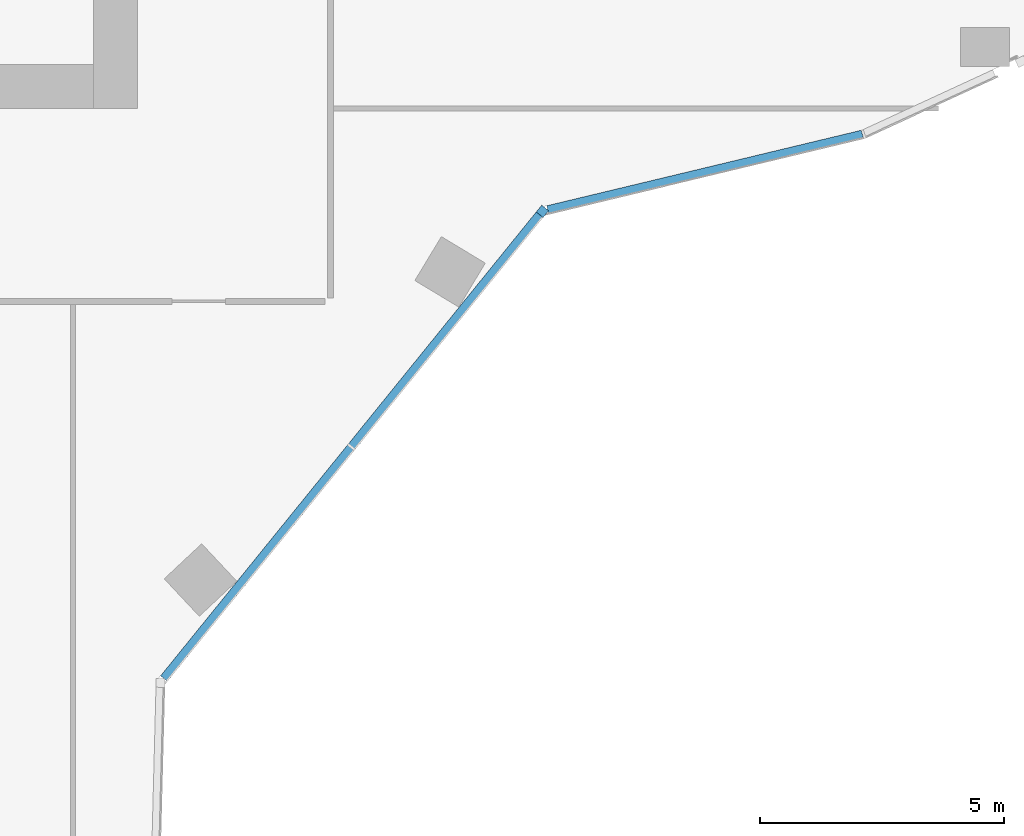
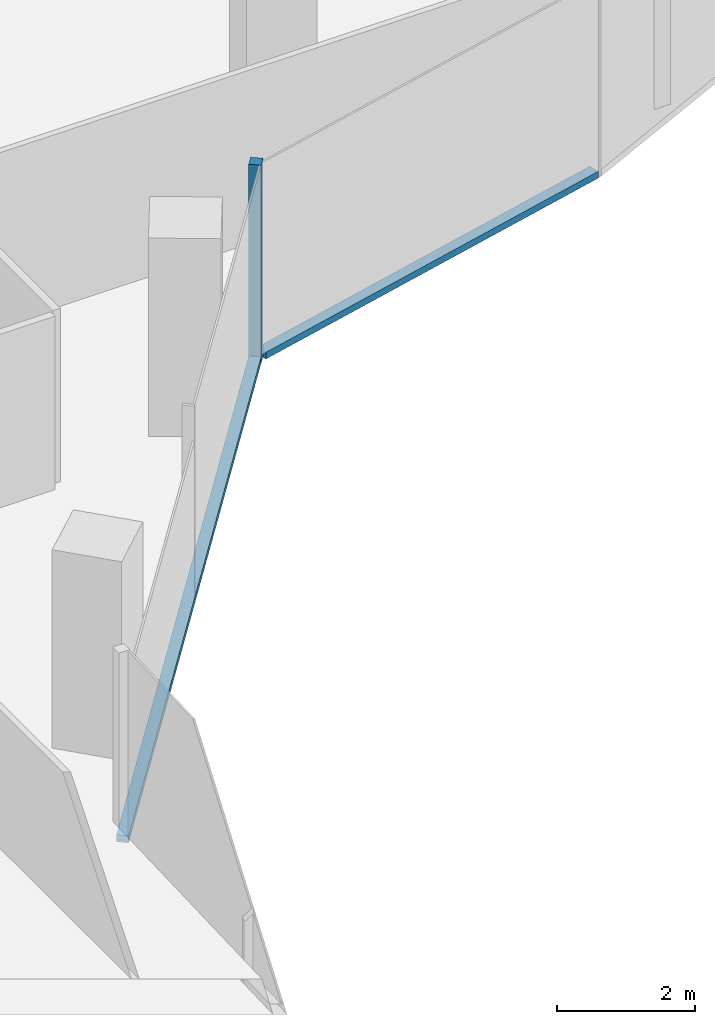
# One storey, part 6 of 23: 3 members, 2 elements without a shape of their own.
"""IFC4 building model written with IfcOpenShell, lengths in metres."""

from ifc_helpers import new_model, si_unit, direction, frame, origin, origin_2d, place, context, subcontext, project, spatial, rectangle, extrude, material, material_profile, profile_set, type_object, element, aggregate, save


model = new_model("IFC4")

# Units and contexts
model_context = context("Model", 3, precision=1e-05, world=origin(), true_north=direction((0.0, 1.0)))
body_context = subcontext(model_context, "Body", "Model", "MODEL_VIEW")
ifc_project = project(units=[si_unit("LENGTHUNIT", "METRE"), si_unit("AREAUNIT", "SQUARE_METRE"), si_unit("VOLUMEUNIT", "CUBIC_METRE"), si_unit("PLANEANGLEUNIT", "RADIAN"), si_unit("MASSUNIT", "GRAM", prefix="KILO")], contexts=[model_context])

# Site, building, storey
site_placement = place(None, origin())
site = spatial("IfcSite", under=ifc_project, at=site_placement, CompositionType="ELEMENT")
building_placement = place(site_placement, origin())
building = spatial("IfcBuilding", under=site, at=building_placement, Name="Orlundy Tower", CompositionType="ELEMENT")
storey_placement = place(building_placement, frame((0.0, 0.0, 224.5)))
storey = spatial("IfcBuildingStorey", under=building, at=storey_placement, Name="L59", CompositionType="ELEMENT", Elevation=224.5)

# Curtain wall, member
ifc_material_1 = material(Name="Aluminium bronze anodised", Category="aluminium")
curtain_wall_type = type_object("IfcCurtainWallType", Name="CW1 wall", PredefinedType="NOTDEFINED", material=ifc_material_1)
curtain_wall_1_placement = place(storey_placement, origin())
curtain_wall_1 = element("IfcCurtainWall", 1, at=curtain_wall_1_placement, inside=storey, type_object=curtain_wall_type, Name="CW1 run 017", PredefinedType="NOTDEFINED")
ifc_material_2 = material(Name="Aluminium bronze anodised", Category="aluminium")
ifc_material_profile_1 = material_profile(ifc_material_2, rectangle(XDim=0.179931640625, YDim=0.179931640625, at=origin_2d()), Name="CW1 corner post 180x180")
ifc_profile_set_1 = profile_set([ifc_material_profile_1], Name="Aluminium bronze anodised")
member_type_1 = type_object("IfcMemberType", Name="CW1 corner post 180x180", PredefinedType="MULLION", material=ifc_profile_set_1)
member_1_placement = place(storey_placement, frame((27.293701171875, -14.1083984375, -0.419921875), z_axis=(0.0, 0.0, 1.0), x_axis=(0.777119891969, -0.629352582823, 0.0)))
member_1 = element("IfcMember", 2, at=member_1_placement, type_object=member_type_1, Name="CW1 mullion 37", PredefinedType="MULLION", context=body_context, shape_type="SweptSolid", body=[
    extrude(rectangle(XDim=0.179931640625, YDim=0.179931640625, at=origin_2d()), origin(), (0.0, 0.0, 1.0), 3.5),
])

curtain_wall_2_placement = place(storey_placement, origin())
curtain_wall_2 = element("IfcCurtainWall", 3, at=curtain_wall_2_placement, inside=storey, type_object=curtain_wall_type, Name="CW1 run 016", PredefinedType="NOTDEFINED")
ifc_material_3 = material(Name="Aluminium bronze anodised", Category="aluminium")
ifc_material_profile_2 = material_profile(ifc_material_3, rectangle(XDim=0.179931640625, YDim=0.1201171875, at=origin_2d()), Name="CW1 transom 180x120")
ifc_profile_set_2 = profile_set([ifc_material_profile_2], Name="Aluminium bronze anodised")
member_type_2 = type_object("IfcMemberType", Name="CW1 transom 180x120", PredefinedType="USERDEFINED", material=ifc_profile_set_2)
member_2_placement = place(storey_placement, frame((33.84521484375, -12.535400390625, -0.360107421875), z_axis=(-0.972369902836, -0.233445437007, 0.0), x_axis=(0.233445437007, -0.972369902836, 0.0)))
member_2 = element("IfcMember", 4, at=member_2_placement, type_object=member_type_2, Name="CW1 transom", ObjectType="TRANSOM", PredefinedType="USERDEFINED", context=body_context, shape_type="SweptSolid", body=[
    extrude(rectangle(XDim=0.179931640625, YDim=0.1201171875, at=origin_2d()), origin(), (0.0, 0.0, 1.0), 6.624267578125),
])
aggregate(curtain_wall_2, [member_2])

# Member
member_3_placement = place(storey_placement, frame((27.237060546875, -14.17822265625, -0.360107421875), z_axis=(-0.629341885038, -0.777128555477, 0.0), x_axis=(0.777128555477, -0.629341885038, 0.0)))
member_3 = element("IfcMember", 5, at=member_3_placement, type_object=member_type_2, Name="CW1 transom", ObjectType="TRANSOM", PredefinedType="USERDEFINED", context=body_context, shape_type="SweptSolid", body=[
    extrude(rectangle(XDim=0.179931640625, YDim=0.1201171875, at=origin_2d()), origin(), (0.0, 0.0, 1.0), 12.221435546875),
])

aggregate(curtain_wall_1, [member_1, member_3])

save(model, "model.ifc")
